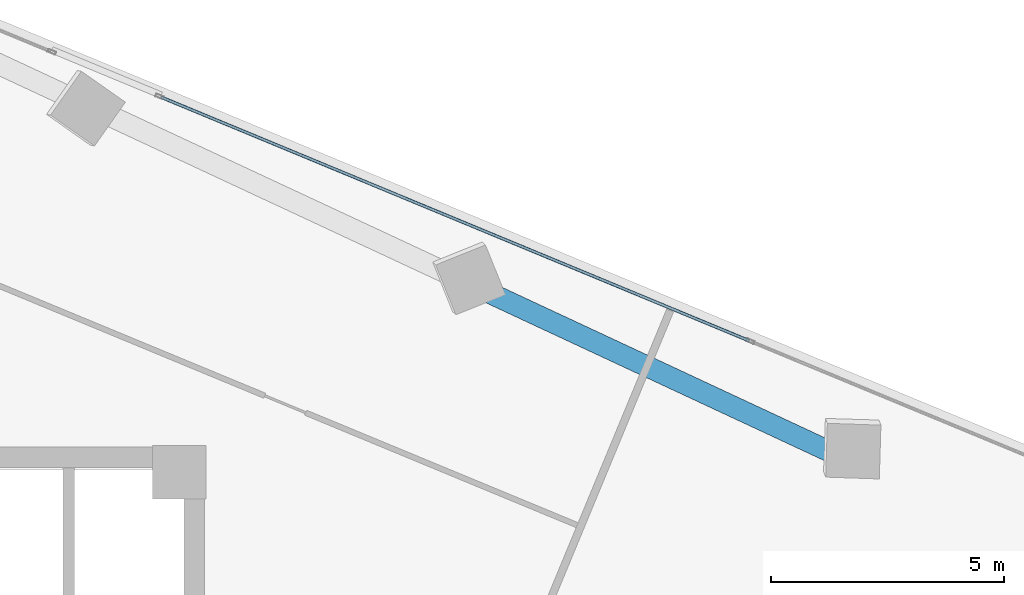
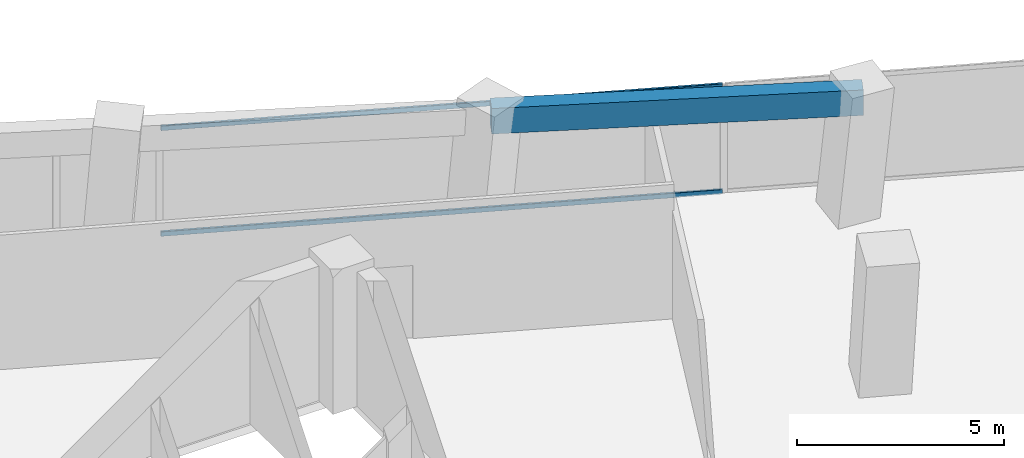
# One storey, part 14 of 22: 2 members, 1 beam, 1 element without a shape of its own.
"""IFC4 building model written with IfcOpenShell, lengths in metres."""

from ifc_helpers import new_model, si_unit, direction, frame, origin, origin_2d, place, context, subcontext, project, spatial, rectangle, hollow_rectangle, extrude, source, transform, mapped, material, material_profile, profile_set, type_object, element, aggregate, save


model = new_model("IFC4")

# Units and contexts
model_context = context("Model", 3, precision=1e-05, world=origin(), true_north=direction((0.0, 1.0)))
body_context = subcontext(model_context, "Body", "Model", "MODEL_VIEW")
ifc_project = project(units=[si_unit("LENGTHUNIT", "METRE"), si_unit("AREAUNIT", "SQUARE_METRE"), si_unit("VOLUMEUNIT", "CUBIC_METRE"), si_unit("PLANEANGLEUNIT", "RADIAN"), si_unit("MASSUNIT", "GRAM", prefix="KILO")], contexts=[model_context])

# Site, building, storey
site_placement = place(None, origin())
site = spatial("IfcSite", under=ifc_project, at=site_placement, CompositionType="ELEMENT")
building_placement = place(site_placement, origin())
building = spatial("IfcBuilding", under=site, at=building_placement, Name="Torre Montelarca", CompositionType="ELEMENT")
storey_placement = place(building_placement, frame((0.0, 0.0, 149.800048828125)))
storey = spatial("IfcBuildingStorey", under=building, at=storey_placement, Name="L33", CompositionType="ELEMENT", Elevation=149.800048828125)

# Beam
ifc_material_1 = material(Name="Concrete C55/67", Category="concrete")
ifc_material_profile_1 = material_profile(ifc_material_1, rectangle(XDim=0.449951171875, YDim=0.75, at=origin_2d()), Name="RCB450X750", Category="concrete")
ifc_profile_set_1 = profile_set([ifc_material_profile_1], Name="Concrete C55/67")
beam_type = type_object("IfcBeamType", Name="BM-SP-RC750-EXT", PredefinedType="SPANDREL", material=ifc_profile_set_1)
shared_shape_1 = source(origin(), body_context, "Body", "SweptSolid", [
    extrude(rectangle(XDim=0.449951171875, YDim=0.75, at=origin_2d()), origin(), (0.0, 0.0, 1.0), 9.0),
])
beam_placement = place(storey_placement, frame((32.887451171875, 43.40625, 3.5849609375), z_axis=(0.906300917592, -0.422632992999, 0.0), x_axis=(0.422632992999, 0.906300917592, 0.0)))
element("IfcBeam", 1, at=beam_placement, inside=storey, type_object=beam_type, Name="L33 Grid Girder X 27.0-36.0 at Y=47.1", PredefinedType="SPANDREL", context=body_context, shape_type="MappedRepresentation", body=[
    mapped(shared_shape_1, transform((0.0, 0.0, 0.0), scale=1.0)),
])

# Curtain wall, members
ifc_material_2 = material(Name="Insulated low-E laminated glass", Category="glass")
curtain_wall_type = type_object("IfcCurtainWallType", Name="CW-SYS-Z2", PredefinedType="USERDEFINED", material=ifc_material_2)
curtain_wall_placement = place(storey_placement, origin())
curtain_wall = element("IfcCurtainWall", 2, at=curtain_wall_placement, inside=storey, type_object=curtain_wall_type, Name="L33 Curtain Wall Run CW-T3-L33-E08-B1", ObjectType="UNITISED GLAZING", PredefinedType="USERDEFINED")
ifc_material_3 = material(Name="Anodised aluminium AA 6063-T6", Category="aluminium")
ifc_material_profile_2 = material_profile(ifc_material_3, hollow_rectangle(XDim=0.06494140625, YDim=0.139892578125, WallThickness=0.00390625, InnerFilletRadius=0.00390625, OuterFilletRadius=0.008056640625, at=origin_2d()), Name="ALU65X140X4", Category="aluminium")
ifc_profile_set_2 = profile_set([ifc_material_profile_2], Name="Anodised aluminium AA 6063-T6")
member_type = type_object("IfcMemberType", Name="CWT-ALU140", PredefinedType="USERDEFINED", material=ifc_profile_set_2)
shared_shape_2 = source(origin(), body_context, "Body", "SweptSolid", [
    extrude(hollow_rectangle(XDim=0.06494140625, YDim=0.139892578125, WallThickness=0.00390625, InnerFilletRadius=0.00390625, OuterFilletRadius=0.008056640625, at=origin_2d()), origin(), (0.0, 0.0, 1.0), 13.66015625),
])
member_1_placement = place(storey_placement, frame((38.684814453125, 42.27587890625, 0.032470703125), z_axis=(-0.923879163994, 0.382684322044, 0.0), x_axis=(-0.382684322044, -0.923879163994, 0.0)))
member_1 = element("IfcMember", 3, at=member_1_placement, type_object=member_type, Name="CW transom 2.1", ObjectType="TRANSOM", PredefinedType="USERDEFINED", context=body_context, shape_type="MappedRepresentation", body=[
    mapped(shared_shape_2, transform((0.0, 0.0, 0.0), scale=1.0)),
])
member_2_placement = place(storey_placement, frame((38.684814453125, 42.27587890625, 3.142333984375), z_axis=(-0.923879163994, 0.382684322044, 0.0), x_axis=(-0.382684322044, -0.923879163994, 0.0)))
member_2 = element("IfcMember", 4, at=member_2_placement, type_object=member_type, Name="CW transom 2.2", ObjectType="TRANSOM", PredefinedType="USERDEFINED", context=body_context, shape_type="MappedRepresentation", body=[
    mapped(shared_shape_2, transform((0.0, 0.0, 0.0), scale=1.0)),
])
aggregate(curtain_wall, [member_1, member_2])

save(model, "model.ifc")
